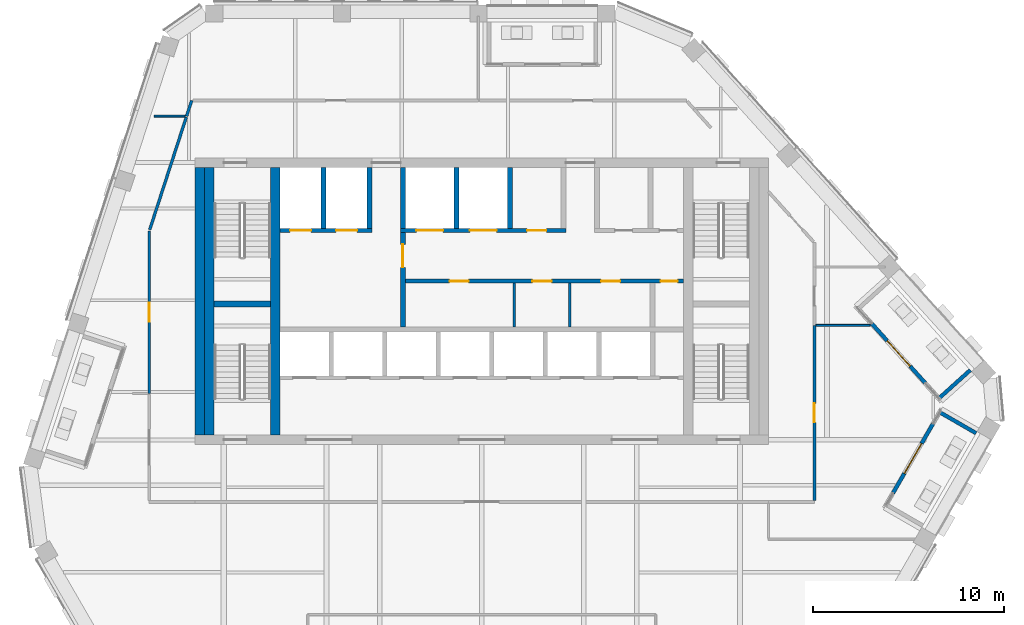
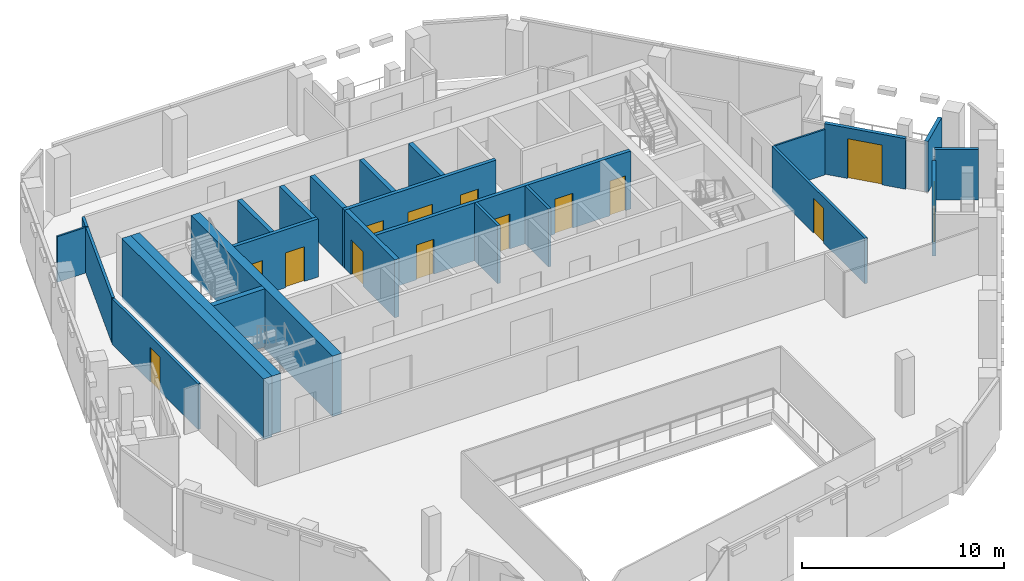
# One storey, part 14 of 22: 25 walls, 14 doors, 14 openings.
"""IFC4 building model written with IfcOpenShell, lengths in metres."""

from ifc_helpers import new_model, si_unit, direction, frame, frame_2d, origin, place, context, subcontext, project, spatial, rectangle, extrude, material, layer, layer_set, type_object, element, fill, save


model = new_model("IFC4")

# Units and contexts
model_context = context("Model", 3, precision=1e-05, world=origin(), true_north=direction((0.0, 1.0)))
body_context = subcontext(model_context, "Body", "Model", "MODEL_VIEW")
ifc_project = project(units=[si_unit("LENGTHUNIT", "METRE"), si_unit("AREAUNIT", "SQUARE_METRE"), si_unit("VOLUMEUNIT", "CUBIC_METRE"), si_unit("PLANEANGLEUNIT", "RADIAN"), si_unit("MASSUNIT", "GRAM", prefix="KILO")], contexts=[model_context])

# Site, building, storey
site_placement = place(None, origin())
site = spatial("IfcSite", under=ifc_project, at=site_placement, CompositionType="ELEMENT")
building_placement = place(site_placement, origin())
building = spatial("IfcBuilding", under=site, at=building_placement, Name="Isthmus Gate Tower", CompositionType="ELEMENT")
storey_placement = place(building_placement, frame((0.0, 0.0, 264.60009765625)))
storey = spatial("IfcBuildingStorey", under=building, at=storey_placement, Name="L67", CompositionType="ELEMENT", Elevation=264.60009765625)

# Wall, opening, door
ifc_material_1 = material(Name="Gypsum board on steel studs, fire-rated", Category="steel")
ifc_layer_1 = layer(ifc_material_1, 0.14990234375)
ifc_layer_set_1 = layer_set([ifc_layer_1], Name="CORRIDOR WALL 150 60 MIN")
wall_type_1 = type_object("IfcWallType", Name="CORRIDOR WALL 150 60 MIN", PredefinedType="PARTITIONING", material=ifc_layer_set_1)
wall_1_placement = place(storey_placement, frame((17.39990234375, 6.237060546875, 0.0), z_axis=(0.0, 0.0, 1.0), x_axis=(0.0, -1.0, 0.0)))
wall_1 = element("IfcWall", 1, at=wall_1_placement, inside=storey, type_object=wall_type_1, Name="L67 Corridor Wall 150 60 Min", PredefinedType="PARTITIONING", context=body_context, shape_type="SweptSolid", body=[
    extrude(rectangle(XDim=9.162109375, YDim=0.14990234375, at=frame_2d((4.5810546875, 0.0))), origin(), (0.0, 0.0, 1.0), 2.75048828125),
])
opening_1_placement = place(wall_1_placement, frame((4.0810546875, 0.0, 0.0)))
opening_1 = element("IfcOpeningElement", 2, at=opening_1_placement, cuts=wall_1, Name="Opening DT-T6A-06", PredefinedType="OPENING", context=body_context, shape_type="SweptSolid", body=[
    extrude(rectangle(XDim=1.0, YDim=2.10009765625, at=frame_2d((0.5, 1.050048828125))), frame((0.0, 0.0849609375, 0.0), z_axis=(0.0, -1.0, 0.0), x_axis=(1.0, 0.0, 0.0)), (0.0, 0.0, 1.0), 0.169921875),
])
ifc_material_2 = material(Name="Solid core timber door leaf, fire-rated", Category="wood")
door_type_1 = type_object("IfcDoorType", Name="FIRE DOOR ROOM 1000 X 2100 60 MIN", OperationType="SINGLE_SWING_LEFT", PredefinedType="DOOR", material=ifc_material_2)
door_1_placement = place(opening_1_placement, origin())
door_1 = element("IfcDoor", 3, at=door_1_placement, inside=storey, type_object=door_type_1, Name="L67 room door", OperationType="SINGLE_SWING_RIGHT", OverallHeight=2.10009765625, OverallWidth=1.0, PredefinedType="DOOR", context=body_context, shape_type="SweptSolid", body=[
    extrude(rectangle(XDim=1.0, YDim=2.10009765625, at=frame_2d((0.5, 1.050048828125))), frame((0.0, 0.02490234375, 0.0), z_axis=(0.0, -1.0, 0.0), x_axis=(1.0, 0.0, 0.0)), (0.0, 0.0, 1.0), 0.050048828125),
])
fill(opening_1, door_1)

# Wall
wall_2_placement = place(storey_placement, frame((-15.44189453125, 17.18701171875, 0.0), z_axis=(0.0, 0.0, 1.0), x_axis=(0.308763129345, 0.951138964588, 0.0)))
element("IfcWall", 4, at=wall_2_placement, inside=storey, type_object=wall_type_1, Name="L67 Corridor Wall 150 60 Min", PredefinedType="PARTITIONING", context=body_context, shape_type="SweptSolid", body=[
    extrude(rectangle(XDim=0.854736328125, YDim=0.14990234375, at=frame_2d((0.42724609375, 0.0))), origin(), (0.0, 0.0, 1.0), 2.75048828125),
])

# Wall, opening, door
wall_3_placement = place(storey_placement, frame((-17.39990234375, 2.669921875, 0.0), z_axis=(0.0, 0.0, 1.0), x_axis=(0.0, 1.0, 0.0)))
wall_3 = element("IfcWall", 5, at=wall_3_placement, inside=storey, type_object=wall_type_1, Name="L67 Corridor Wall 150 60 Min", PredefinedType="PARTITIONING", context=body_context, shape_type="SweptSolid", body=[
    extrude(rectangle(XDim=8.490966796875, YDim=0.14990234375, at=frame_2d((4.24560546875, 0.0))), origin(), (0.0, 0.0, 1.0), 2.75048828125),
])
opening_2_placement = place(wall_3_placement, frame((3.74560546875, 0.0, 0.0)))
opening_2 = element("IfcOpeningElement", 6, at=opening_2_placement, cuts=wall_3, Name="Opening DT-T6A-04", PredefinedType="OPENING", context=body_context, shape_type="SweptSolid", body=[
    extrude(rectangle(XDim=1.0, YDim=2.10009765625, at=frame_2d((0.5, 1.050048828125))), frame((0.0, 0.0849609375, 0.0), z_axis=(0.0, -1.0, 0.0), x_axis=(1.0, 0.0, 0.0)), (0.0, 0.0, 1.0), 0.169921875),
])
door_2_placement = place(opening_2_placement, origin())
door_2 = element("IfcDoor", 7, at=door_2_placement, inside=storey, type_object=door_type_1, Name="L67 room door", OperationType="SINGLE_SWING_RIGHT", OverallHeight=2.10009765625, OverallWidth=1.0, PredefinedType="DOOR", context=body_context, shape_type="SweptSolid", body=[
    extrude(rectangle(XDim=1.0, YDim=2.10009765625, at=frame_2d((0.5, 1.050048828125))), frame((0.0, 0.02490234375, 0.0), z_axis=(0.0, -1.0, 0.0), x_axis=(1.0, 0.0, 0.0)), (0.0, 0.0, 1.0), 0.050048828125),
])
fill(opening_2, door_2)

# Wall
wall_4_placement = place(storey_placement, frame((-17.376708984375, 11.232421875, 0.0), z_axis=(0.0, 0.0, 1.0), x_axis=(0.309001632963, 0.951061507383, 0.0)))
element("IfcWall", 8, at=wall_4_placement, inside=storey, type_object=wall_type_1, Name="L67 Corridor Wall 150 60 Min", PredefinedType="PARTITIONING", context=body_context, shape_type="SweptSolid", body=[
    extrude(rectangle(XDim=6.2109375, YDim=0.14990234375, at=frame_2d((3.10546875, 0.0))), origin(), (0.0, 0.0, 1.0), 2.75048828125),
])

# Wall, opening, door
ifc_material_3 = material(Name="Fire-rated blockwork masonry, 15 MPa", Category="masonry")
ifc_layer_2 = layer(ifc_material_3, 0.25)
ifc_layer_set_2 = layer_set([ifc_layer_2], Name="FIRE-FIGHTING LOBBY WALL 250 90 MIN")
wall_type_2 = type_object("IfcWallType", Name="FIRE-FIGHTING LOBBY WALL 250 90 MIN", PredefinedType="PARTITIONING", material=ifc_layer_set_2)
wall_5_placement = place(storey_placement, frame((-4.125, 6.14990234375, 0.0), z_axis=(0.0, 0.0, 1.0), x_axis=(0.0, 1.0, 0.0)))
wall_5 = element("IfcWall", 9, at=wall_5_placement, inside=storey, type_object=wall_type_2, Name="L67 FIRE-FIGHTING LOBBY WALL 250 90 MIN", PredefinedType="PARTITIONING", context=body_context, shape_type="SweptSolid", body=[
    extrude(rectangle(XDim=4.9501953125, YDim=0.25, at=frame_2d((2.47509765625, 0.0))), origin(), (0.0, 0.0, 1.0), 3.5),
])
opening_3_placement = place(wall_5_placement, frame((3.125, 0.0, 0.0)))
opening_3 = element("IfcOpeningElement", 10, at=opening_3_placement, cuts=wall_5, Name="Opening DC-A17-01", PredefinedType="OPENING", context=body_context, shape_type="SweptSolid", body=[
    extrude(rectangle(XDim=1.199951171875, YDim=2.10009765625, at=frame_2d((0.60009765625, 1.050048828125))), frame((0.0, 0.135009765625, 0.0), z_axis=(0.0, -1.0, 0.0), x_axis=(1.0, 0.0, 0.0)), (0.0, 0.0, 1.0), 0.27001953125),
])
ifc_material_4 = material(Name="Steel door leaf, fire-rated", Category="steel")
door_type_2 = type_object("IfcDoorType", Name="LOBBY FIRE DOOR 1200 X 2100 90 MIN", OperationType="DOUBLE_DOOR_SINGLE_SWING", PredefinedType="DOOR", material=ifc_material_4)
door_3_placement = place(opening_3_placement, origin())
door_3 = element("IfcDoor", 11, at=door_3_placement, inside=storey, type_object=door_type_2, Name="Fire-fighting Lobby Door", OperationType="SINGLE_SWING_LEFT", OverallHeight=2.10009765625, OverallWidth=1.199951171875, PredefinedType="DOOR", context=body_context, shape_type="SweptSolid", body=[
    extrude(rectangle(XDim=1.199951171875, YDim=2.10009765625, at=frame_2d((0.60009765625, 1.050048828125))), frame((0.0, 0.02490234375, 0.0), z_axis=(0.0, -1.0, 0.0), x_axis=(1.0, 0.0, 0.0)), (0.0, 0.0, 1.0), 0.050048828125),
])
fill(opening_3, door_3)

ifc_material_5 = material(Name="Precast concrete C40/50", Category="concrete")
ifc_layer_3 = layer(ifc_material_5, 0.199951171875)
ifc_layer_set_3 = layer_set([ifc_layer_3], Name="LOGGIA WALL 200")
wall_type_3 = type_object("IfcWallType", Name="LOGGIA WALL 200", PredefinedType="SOLIDWALL", material=ifc_layer_set_3)
wall_6_placement = place(storey_placement, frame((21.509765625, -2.5439453125, 0.0), z_axis=(0.0, 0.0, 1.0), x_axis=(0.500002543286, 0.866023935413, 0.0)))
wall_6 = element("IfcWall", 12, at=wall_6_placement, inside=storey, type_object=wall_type_3, Name="LOGGIA BACK WALL", PredefinedType="SOLIDWALL", context=body_context, shape_type="SweptSolid", body=[
    extrude(rectangle(XDim=4.2001953125, YDim=0.199951171875, at=frame_2d((2.10009765625, 0.0))), origin(), (0.0, 0.0, 1.0), 2.820556640625),
])
opening_4_placement = place(wall_6_placement, frame((1.199951171875, 0.0, 0.0)))
opening_4 = element("IfcOpeningElement", 13, at=opening_4_placement, cuts=wall_6, Name="Opening DE67-04", PredefinedType="OPENING", context=body_context, shape_type="SweptSolid", body=[
    extrude(rectangle(XDim=1.800048828125, YDim=2.39990234375, at=frame_2d((0.89990234375, 1.199951171875))), frame((0.0, 0.10986328125, 0.0), z_axis=(0.0, -1.0, 0.0), x_axis=(1.0, 0.0, 0.0)), (0.0, 0.0, 1.0), 0.219970703125),
])
ifc_material_6 = material(Name="Aluminium, pale champagne anodised, laminated glass", Category="aluminium")
door_type_3 = type_object("IfcDoorType", Name="LOGGIA DOOR SLIDING 1800 X 2400", OperationType="DOUBLE_DOOR_SLIDING", PredefinedType="DOOR", material=ifc_material_6)
door_4_placement = place(opening_4_placement, origin())
door_4 = element("IfcDoor", 14, at=door_4_placement, inside=storey, type_object=door_type_3, Name="DOOR DE67-04", OperationType="SINGLE_SWING_LEFT", OverallHeight=2.39990234375, OverallWidth=1.800048828125, PredefinedType="DOOR", context=body_context, shape_type="SweptSolid", body=[
    extrude(rectangle(XDim=1.800048828125, YDim=2.39990234375, at=frame_2d((0.89990234375, 1.199951171875))), frame((0.0, 0.02490234375, 0.0), z_axis=(0.0, -1.0, 0.0), x_axis=(1.0, 0.0, 0.0)), (0.0, 0.0, 1.0), 0.050048828125),
])
fill(opening_4, door_4)

# Wall
wall_7_placement = place(storey_placement, frame((25.861328125, 0.593017578125, 0.0), z_axis=(0.0, 0.0, 1.0), x_axis=(-0.866040401994, 0.49997402144, 0.0)))
element("IfcWall", 15, at=wall_7_placement, inside=storey, type_object=wall_type_3, Name="LOGGIA SIDE WALL", PredefinedType="SOLIDWALL", context=body_context, shape_type="SweptSolid", body=[
    extrude(rectangle(XDim=2.18408203125, YDim=0.199951171875, at=frame_2d((1.092041015625, 0.0))), origin(), (0.0, 0.0, 1.0), 3.0498046875),
])

# Wall, opening, door
wall_8_placement = place(storey_placement, frame((23.216552734375, 3.204345703125, 0.0), z_axis=(0.0, 0.0, 1.0), x_axis=(-0.669138140895, 0.743138041282, 0.0)))
wall_8 = element("IfcWall", 16, at=wall_8_placement, inside=storey, type_object=wall_type_3, Name="LOGGIA BACK WALL", PredefinedType="SOLIDWALL", context=body_context, shape_type="SweptSolid", body=[
    extrude(rectangle(XDim=4.199951171875, YDim=0.199951171875, at=frame_2d((2.10009765625, 0.0))), origin(), (0.0, 0.0, 1.0), 3.0498046875),
])
opening_5_placement = place(wall_8_placement, frame((1.199951171875, 0.0, 0.0)))
opening_5 = element("IfcOpeningElement", 17, at=opening_5_placement, cuts=wall_8, Name="Opening DE67-05", PredefinedType="OPENING", context=body_context, shape_type="SweptSolid", body=[
    extrude(rectangle(XDim=1.800048828125, YDim=2.39990234375, at=frame_2d((0.89990234375, 1.199951171875))), frame((0.0, 0.10986328125, 0.0), z_axis=(0.0, -1.0, 0.0), x_axis=(1.0, 0.0, 0.0)), (0.0, 0.0, 1.0), 0.219970703125),
])
door_5_placement = place(opening_5_placement, origin())
door_5 = element("IfcDoor", 18, at=door_5_placement, inside=storey, type_object=door_type_3, Name="DOOR DE67-05", OperationType="SINGLE_SWING_LEFT", OverallHeight=2.39990234375, OverallWidth=1.800048828125, PredefinedType="DOOR", context=body_context, shape_type="SweptSolid", body=[
    extrude(rectangle(XDim=1.800048828125, YDim=2.39990234375, at=frame_2d((0.89990234375, 1.199951171875))), frame((0.0, 0.02490234375, 0.0), z_axis=(0.0, -1.0, 0.0), x_axis=(1.0, 0.0, 0.0)), (0.0, 0.0, 1.0), 0.050048828125),
])
fill(opening_5, door_5)

# Walls
wall_9_placement = place(storey_placement, frame((25.556396484375, 3.8935546875, 0.0), z_axis=(0.0, 0.0, 1.0), x_axis=(-0.743138493482, -0.669137638686, 0.0)))
element("IfcWall", 19, at=wall_9_placement, inside=storey, type_object=wall_type_3, Name="LOGGIA SIDE WALL", PredefinedType="SOLIDWALL", context=body_context, shape_type="SweptSolid", body=[
    extrude(rectangle(XDim=2.18408203125, YDim=0.199951171875, at=frame_2d((1.092041015625, 0.0))), origin(), (0.0, 0.0, 1.0), 3.0498046875),
])
ifc_material_7 = material(Name="Concrete f'c 50 MPa", Category="concrete")
ifc_layer_4 = layer(ifc_material_7, 0.5)
ifc_layer_set_4 = layer_set([ifc_layer_4], Name="RC CORE SPINE WALL 500 F'C 50")
wall_type_4 = type_object("IfcWallType", Name="RC CORE SPINE WALL 500 F'C 50", PredefinedType="SOLIDWALL", material=ifc_layer_set_4)
wall_10_placement = place(storey_placement, frame((-10.800048828125, 0.5, -0.150146484375), z_axis=(0.0, 0.0, 1.0), x_axis=(0.0, 1.0, 0.0)))
element("IfcWall", 20, at=wall_10_placement, inside=storey, type_object=wall_type_4, Name="str-corewall-L67-SPW", PredefinedType="SOLIDWALL", context=body_context, shape_type="SweptSolid", body=[
    extrude(rectangle(XDim=14.0, YDim=0.5, at=frame_2d((7.0, 0.0))), origin(), (0.0, 0.0, 1.0), 3.650146484375),
])
ifc_material_8 = material(Name="Concrete f'c 50 MPa", Category="concrete")
ifc_layer_5 = layer(ifc_material_8, 0.5)
ifc_layer_set_5 = layer_set([ifc_layer_5], Name="RC CORE WALL 500 F'C 50")
wall_type_5 = type_object("IfcWallType", Name="RC CORE WALL 500 F'C 50", PredefinedType="SOLIDWALL", material=ifc_layer_set_5)
wall_11_placement = place(storey_placement, frame((-14.75, 0.5, -0.150146484375), z_axis=(0.0, 0.0, 1.0), x_axis=(0.0, 1.0, 0.0)))
element("IfcWall", 21, at=wall_11_placement, inside=storey, type_object=wall_type_5, Name="str-corewall-L67-W", PredefinedType="SOLIDWALL", context=body_context, shape_type="SweptSolid", body=[
    extrude(rectangle(XDim=14.0, YDim=0.5, at=frame_2d((7.0, 0.0))), origin(), (0.0, 0.0, 1.0), 3.650146484375),
])
ifc_material_9 = material(Name="Gypsum board on steel studs, fire-rated", Category="steel")
ifc_layer_6 = layer(ifc_material_9, 0.10009765625)
ifc_layer_set_6 = layer_set([ifc_layer_6], Name="ROOM PARTITION 100 30 MIN")
wall_type_6 = type_object("IfcWallType", Name="ROOM PARTITION 100 30 MIN", PredefinedType="PARTITIONING", material=ifc_layer_set_6)
wall_12_placement = place(storey_placement, frame((-17.139892578125, 17.18701171875, 0.0), z_axis=(0.0, 0.0, 1.0), x_axis=(1.0, 0.0, 0.0)))
element("IfcWall", 22, at=wall_12_placement, inside=storey, type_object=wall_type_6, Name="L67 Room Partition 100 30 Min", PredefinedType="PARTITIONING", context=body_context, shape_type="SweptSolid", body=[
    extrude(rectangle(XDim=1.622802734375, YDim=0.10009765625, at=frame_2d((0.8115234375, 0.0))), origin(), (0.0, 0.0, 1.0), 2.75048828125),
])
wall_13_placement = place(storey_placement, frame((17.47509765625, 6.237060546875, 0.0), z_axis=(0.0, 0.0, 1.0), x_axis=(1.0, 0.0, 0.0)))
element("IfcWall", 23, at=wall_13_placement, inside=storey, type_object=wall_type_6, Name="L67 Room Partition 100 30 Min", PredefinedType="PARTITIONING", context=body_context, shape_type="SweptSolid", body=[
    extrude(rectangle(XDim=2.84619140625, YDim=0.10009765625, at=frame_2d((1.423095703125, 0.0))), origin(), (0.0, 0.0, 1.0), 2.75048828125),
])
ifc_material_10 = material(Name="Gypsum board on steel studs, fire-rated", Category="steel")
ifc_layer_7 = layer(ifc_material_10, 0.14990234375)
ifc_layer_set_7 = layer_set([ifc_layer_7], Name="ROOM PARTITION 150 60 MIN")
wall_type_7 = type_object("IfcWallType", Name="ROOM PARTITION 150 60 MIN", PredefinedType="PARTITIONING", material=ifc_layer_set_7)
for number, where, z_axis, x_axis, name in (
    (24, (1.699951171875, 6.14990234375, 0.0), (0.0, 0.0, 1.0), (0.0, 1.0, 0.0), "L67 ROOM PARTITION 150 60 MIN"),
    (25, (4.60009765625, 6.14990234375, 0.0), (0.0, 0.0, 1.0), (0.0, 1.0, 0.0), "L67 ROOM PARTITION 150 60 MIN"),
):
    element("IfcWall", number, at=place(storey_placement, frame(where, z_axis=z_axis, x_axis=x_axis)), inside=storey, type_object=wall_type_7, Name=name, PredefinedType="PARTITIONING", context=body_context, shape_type="SweptSolid", body=[
        extrude(rectangle(XDim=2.300048828125, YDim=0.14990234375, at=frame_2d((1.14990234375, 0.0))), origin(), (0.0, 0.0, 1.0), 3.5),
    ])

# Wall, openings, doors
ifc_material_11 = material(Name="Fire-rated blockwork masonry, 15 MPa", Category="masonry")
ifc_layer_8 = layer(ifc_material_11, 0.199951171875)
ifc_layer_set_8 = layer_set([ifc_layer_8], Name="SHAFT FRONT WALL 200 120 MIN")
wall_type_8 = type_object("IfcWallType", Name="SHAFT FRONT WALL 200 120 MIN", PredefinedType="PARTITIONING", material=ifc_layer_set_8)
wall_14_placement = place(storey_placement, frame((-4.125, 8.550048828125, 0.0), z_axis=(0.0, 0.0, 1.0), x_axis=(1.0, 0.0, 0.0)))
wall_14 = element("IfcWall", 26, at=wall_14_placement, inside=storey, type_object=wall_type_8, Name="L67 SHAFT FRONT WALL 200 120 MIN", PredefinedType="PARTITIONING", context=body_context, shape_type="SweptSolid", body=[
    extrude(rectangle(XDim=14.675048828125, YDim=0.199951171875, at=frame_2d((7.33740234375, 0.0))), origin(), (0.0, 0.0, 1.0), 3.5),
])
opening_6_placement = place(wall_14_placement, frame((2.4375, 0.0, 0.0)))
opening_6 = element("IfcOpeningElement", 27, at=opening_6_placement, cuts=wall_14, Name="Opening DC-A17-03", PredefinedType="OPENING", context=body_context, shape_type="SweptSolid", body=[
    extrude(rectangle(XDim=1.0, YDim=2.10009765625, at=frame_2d((0.5, 1.050048828125))), frame((0.0, 0.10986328125, 0.0), z_axis=(0.0, -1.0, 0.0), x_axis=(1.0, 0.0, 0.0)), (0.0, 0.0, 1.0), 0.219970703125),
])
opening_7_placement = place(wall_14_placement, frame((6.77490234375, 0.0, 0.0)))
opening_7 = element("IfcOpeningElement", 28, at=opening_7_placement, cuts=wall_14, Name="Opening DC-A17-04", PredefinedType="OPENING", context=body_context, shape_type="SweptSolid", body=[
    extrude(rectangle(XDim=1.0, YDim=2.10009765625, at=frame_2d((0.5, 1.050048828125))), frame((0.0, 0.10986328125, 0.0), z_axis=(0.0, -1.0, 0.0), x_axis=(1.0, 0.0, 0.0)), (0.0, 0.0, 1.0), 0.219970703125),
])
opening_8_placement = place(wall_14_placement, frame((10.362548828125, 0.0, 0.0)))
opening_8 = element("IfcOpeningElement", 29, at=opening_8_placement, cuts=wall_14, Name="Opening DC-A17-05", PredefinedType="OPENING", context=body_context, shape_type="SweptSolid", body=[
    extrude(rectangle(XDim=1.0, YDim=2.10009765625, at=frame_2d((0.5, 1.050048828125))), frame((0.0, 0.10986328125, 0.0), z_axis=(0.0, -1.0, 0.0), x_axis=(1.0, 0.0, 0.0)), (0.0, 0.0, 1.0), 0.219970703125),
])
opening_9_placement = place(wall_14_placement, frame((13.47509765625, 0.0, 0.0)))
opening_9 = element("IfcOpeningElement", 30, at=opening_9_placement, cuts=wall_14, Name="Opening DC-A17-06", PredefinedType="OPENING", context=body_context, shape_type="SweptSolid", body=[
    extrude(rectangle(XDim=0.89990234375, YDim=2.10009765625, at=frame_2d((0.449951171875, 1.050048828125))), frame((0.0, 0.10986328125, 0.0), z_axis=(0.0, -1.0, 0.0), x_axis=(1.0, 0.0, 0.0)), (0.0, 0.0, 1.0), 0.219970703125),
])
ifc_material_12 = material(Name="Steel door leaf, fire-rated", Category="steel")
door_type_4 = type_object("IfcDoorType", Name="FIRE DOOR 1000 X 2100 60 MIN", OperationType="SINGLE_SWING_LEFT", PredefinedType="DOOR", material=ifc_material_12)
door_6_placement = place(opening_6_placement, origin())
door_6 = element("IfcDoor", 31, at=door_6_placement, inside=storey, type_object=door_type_4, Name="WC Men Door", OperationType="SINGLE_SWING_LEFT", OverallHeight=2.10009765625, OverallWidth=1.0, PredefinedType="DOOR", context=body_context, shape_type="SweptSolid", body=[
    extrude(rectangle(XDim=1.0, YDim=2.10009765625, at=frame_2d((0.5, 1.050048828125))), frame((0.0, 0.02490234375, 0.0), z_axis=(0.0, -1.0, 0.0), x_axis=(1.0, 0.0, 0.0)), (0.0, 0.0, 1.0), 0.050048828125),
])
fill(opening_6, door_6)
door_7_placement = place(opening_7_placement, origin())
door_7 = element("IfcDoor", 32, at=door_7_placement, inside=storey, type_object=door_type_4, Name="Accessible WC Door", OperationType="SINGLE_SWING_RIGHT", OverallHeight=2.10009765625, OverallWidth=1.0, PredefinedType="DOOR", context=body_context, shape_type="SweptSolid", body=[
    extrude(rectangle(XDim=1.0, YDim=2.10009765625, at=frame_2d((0.5, 1.050048828125))), frame((0.0, 0.02490234375, 0.0), z_axis=(0.0, -1.0, 0.0), x_axis=(1.0, 0.0, 0.0)), (0.0, 0.0, 1.0), 0.050048828125),
])
fill(opening_7, door_7)
door_8_placement = place(opening_8_placement, origin())
door_8 = element("IfcDoor", 33, at=door_8_placement, inside=storey, type_object=door_type_4, Name="WC Women Door", OperationType="SINGLE_SWING_LEFT", OverallHeight=2.10009765625, OverallWidth=1.0, PredefinedType="DOOR", context=body_context, shape_type="SweptSolid", body=[
    extrude(rectangle(XDim=1.0, YDim=2.10009765625, at=frame_2d((0.5, 1.050048828125))), frame((0.0, 0.02490234375, 0.0), z_axis=(0.0, -1.0, 0.0), x_axis=(1.0, 0.0, 0.0)), (0.0, 0.0, 1.0), 0.050048828125),
])
fill(opening_8, door_8)
ifc_material_13 = material(Name="Steel door leaf, fire-rated", Category="steel")
door_type_5 = type_object("IfcDoorType", Name="RISER FIRE DOOR 900 X 2100 90 MIN", OperationType="SINGLE_SWING_LEFT", PredefinedType="DOOR", material=ifc_material_13)
door_9_placement = place(opening_9_placement, origin())
door_9 = element("IfcDoor", 34, at=door_9_placement, inside=storey, type_object=door_type_5, Name="Riser Door", OperationType="SINGLE_SWING_RIGHT", OverallHeight=2.10009765625, OverallWidth=0.89990234375, PredefinedType="DOOR", context=body_context, shape_type="SweptSolid", body=[
    extrude(rectangle(XDim=0.89990234375, YDim=2.10009765625, at=frame_2d((0.449951171875, 1.050048828125))), frame((0.0, 0.02490234375, 0.0), z_axis=(0.0, -1.0, 0.0), x_axis=(1.0, 0.0, 0.0)), (0.0, 0.0, 1.0), 0.050048828125),
])
fill(opening_9, door_9)

wall_15_placement = place(storey_placement, frame((-10.550048828125, 11.199951171875, 0.0), z_axis=(0.0, 0.0, 1.0), x_axis=(1.0, 0.0, 0.0)))
wall_15 = element("IfcWall", 35, at=wall_15_placement, inside=storey, type_object=wall_type_8, Name="L67 SHAFT FRONT WALL 200 120 MIN", PredefinedType="PARTITIONING", context=body_context, shape_type="SweptSolid", body=[
    extrude(rectangle(XDim=4.800048828125, YDim=0.199951171875, at=frame_2d((2.39990234375, 0.0))), origin(), (0.0, 0.0, 1.0), 3.5),
])
opening_10_placement = place(wall_15_placement, frame((0.52490234375, 0.0, 0.0)))
opening_10 = element("IfcOpeningElement", 36, at=opening_10_placement, cuts=wall_15, Name="Opening LD-LF1", PredefinedType="OPENING", context=body_context, shape_type="SweptSolid", body=[
    extrude(rectangle(XDim=1.10009765625, YDim=2.10009765625, at=frame_2d((0.550048828125, 1.050048828125))), frame((0.0, 0.10986328125, 0.0), z_axis=(0.0, -1.0, 0.0), x_axis=(1.0, 0.0, 0.0)), (0.0, 0.0, 1.0), 0.219970703125),
])
opening_11_placement = place(wall_15_placement, frame((2.925048828125, 0.0, 0.0)))
opening_11 = element("IfcOpeningElement", 37, at=opening_11_placement, cuts=wall_15, Name="Opening LD-LF2", PredefinedType="OPENING", context=body_context, shape_type="SweptSolid", body=[
    extrude(rectangle(XDim=1.10009765625, YDim=2.10009765625, at=frame_2d((0.550048828125, 1.050048828125))), frame((0.0, 0.10986328125, 0.0), z_axis=(0.0, -1.0, 0.0), x_axis=(1.0, 0.0, 0.0)), (0.0, 0.0, 1.0), 0.219970703125),
])
ifc_material_14 = material(Name="Stainless steel sliding leaf", Category="steel")
door_type_6 = type_object("IfcDoorType", Name="LIFT LANDING FIRE DOOR 1100 X 2100 90 MIN", OperationType="DOUBLE_DOOR_SLIDING", PredefinedType="DOOR", material=ifc_material_14)
door_10_placement = place(opening_10_placement, origin())
door_10 = element("IfcDoor", 38, at=door_10_placement, inside=storey, type_object=door_type_6, Name="Lift Landing Door LF1", OperationType="DOUBLE_DOOR_SLIDING", OverallHeight=2.10009765625, OverallWidth=1.10009765625, PredefinedType="DOOR", context=body_context, shape_type="SweptSolid", body=[
    extrude(rectangle(XDim=1.10009765625, YDim=2.10009765625, at=frame_2d((0.550048828125, 1.050048828125))), frame((0.0, 0.02490234375, 0.0), z_axis=(0.0, -1.0, 0.0), x_axis=(1.0, 0.0, 0.0)), (0.0, 0.0, 1.0), 0.050048828125),
])
fill(opening_10, door_10)
door_11_placement = place(opening_11_placement, origin())
door_11 = element("IfcDoor", 39, at=door_11_placement, inside=storey, type_object=door_type_6, Name="Lift Landing Door LF2", OperationType="DOUBLE_DOOR_SLIDING", OverallHeight=2.10009765625, OverallWidth=1.10009765625, PredefinedType="DOOR", context=body_context, shape_type="SweptSolid", body=[
    extrude(rectangle(XDim=1.10009765625, YDim=2.10009765625, at=frame_2d((0.550048828125, 1.050048828125))), frame((0.0, 0.02490234375, 0.0), z_axis=(0.0, -1.0, 0.0), x_axis=(1.0, 0.0, 0.0)), (0.0, 0.0, 1.0), 0.050048828125),
])
fill(opening_11, door_11)

wall_16_placement = place(storey_placement, frame((-4.25, 11.199951171875, 0.0), z_axis=(0.0, 0.0, 1.0), x_axis=(1.0, 0.0, 0.0)))
wall_16 = element("IfcWall", 40, at=wall_16_placement, inside=storey, type_object=wall_type_8, Name="L67 SHAFT FRONT WALL 200 120 MIN", PredefinedType="PARTITIONING", context=body_context, shape_type="SweptSolid", body=[
    extrude(rectangle(XDim=8.64990234375, YDim=0.199951171875, at=frame_2d((4.324951171875, 0.0))), origin(), (0.0, 0.0, 1.0), 3.5),
])
opening_12_placement = place(wall_16_placement, frame((0.824951171875, 0.0, 0.0)))
opening_12 = element("IfcOpeningElement", 41, at=opening_12_placement, cuts=wall_16, Name="Opening LD-LV1", PredefinedType="OPENING", context=body_context, shape_type="SweptSolid", body=[
    extrude(rectangle(XDim=1.39990234375, YDim=2.10009765625, at=frame_2d((0.699951171875, 1.050048828125))), frame((0.0, 0.10986328125, 0.0), z_axis=(0.0, -1.0, 0.0), x_axis=(1.0, 0.0, 0.0)), (0.0, 0.0, 1.0), 0.219970703125),
])
opening_13_placement = place(wall_16_placement, frame((3.625, 0.0, 0.0)))
opening_13 = element("IfcOpeningElement", 42, at=opening_13_placement, cuts=wall_16, Name="Opening LD-LV2", PredefinedType="OPENING", context=body_context, shape_type="SweptSolid", body=[
    extrude(rectangle(XDim=1.39990234375, YDim=2.10009765625, at=frame_2d((0.699951171875, 1.050048828125))), frame((0.0, 0.10986328125, 0.0), z_axis=(0.0, -1.0, 0.0), x_axis=(1.0, 0.0, 0.0)), (0.0, 0.0, 1.0), 0.219970703125),
])
opening_14_placement = place(wall_16_placement, frame((6.625, 0.0, 0.0)))
opening_14 = element("IfcOpeningElement", 43, at=opening_14_placement, cuts=wall_16, Name="Opening DC-A17-07", PredefinedType="OPENING", context=body_context, shape_type="SweptSolid", body=[
    extrude(rectangle(XDim=1.0, YDim=2.10009765625, at=frame_2d((0.5, 1.050048828125))), frame((0.0, 0.10986328125, 0.0), z_axis=(0.0, -1.0, 0.0), x_axis=(1.0, 0.0, 0.0)), (0.0, 0.0, 1.0), 0.219970703125),
])
door_12_placement = place(opening_14_placement, origin())
door_12 = element("IfcDoor", 44, at=door_12_placement, inside=storey, type_object=door_type_4, Name="Pantry Door", OperationType="SINGLE_SWING_LEFT", OverallHeight=2.10009765625, OverallWidth=1.0, PredefinedType="DOOR", context=body_context, shape_type="SweptSolid", body=[
    extrude(rectangle(XDim=1.0, YDim=2.10009765625, at=frame_2d((0.5, 1.050048828125))), frame((0.0, 0.02490234375, 0.0), z_axis=(0.0, -1.0, 0.0), x_axis=(1.0, 0.0, 0.0)), (0.0, 0.0, 1.0), 0.050048828125),
])
fill(opening_14, door_12)
ifc_material_15 = material(Name="Stainless steel sliding leaf", Category="steel")
door_type_7 = type_object("IfcDoorType", Name="LIFT LANDING FIRE DOOR 1400 X 2100 90 MIN", OperationType="DOUBLE_DOOR_SLIDING", PredefinedType="DOOR", material=ifc_material_15)
door_13_placement = place(opening_12_placement, origin())
door_13 = element("IfcDoor", 45, at=door_13_placement, inside=storey, type_object=door_type_7, Name="Lift Landing Door LV1", OperationType="DOUBLE_DOOR_SLIDING", OverallHeight=2.10009765625, OverallWidth=1.39990234375, PredefinedType="DOOR", context=body_context, shape_type="SweptSolid", body=[
    extrude(rectangle(XDim=1.39990234375, YDim=2.10009765625, at=frame_2d((0.699951171875, 1.050048828125))), frame((0.0, 0.02490234375, 0.0), z_axis=(0.0, -1.0, 0.0), x_axis=(1.0, 0.0, 0.0)), (0.0, 0.0, 1.0), 0.050048828125),
])
fill(opening_12, door_13)
door_14_placement = place(opening_13_placement, origin())
door_14 = element("IfcDoor", 46, at=door_14_placement, inside=storey, type_object=door_type_7, Name="Lift Landing Door LV2", OperationType="DOUBLE_DOOR_SLIDING", OverallHeight=2.10009765625, OverallWidth=1.39990234375, PredefinedType="DOOR", context=body_context, shape_type="SweptSolid", body=[
    extrude(rectangle(XDim=1.39990234375, YDim=2.10009765625, at=frame_2d((0.699951171875, 1.050048828125))), frame((0.0, 0.02490234375, 0.0), z_axis=(0.0, -1.0, 0.0), x_axis=(1.0, 0.0, 0.0)), (0.0, 0.0, 1.0), 0.050048828125),
])
fill(opening_13, door_14)

# Walls
ifc_material_16 = material(Name="Fire-rated blockwork masonry, 15 MPa", Category="masonry")
ifc_layer_9 = layer(ifc_material_16, 0.25)
ifc_layer_set_9 = layer_set([ifc_layer_9], Name="SHAFT WALL 250 120 MIN")
wall_type_9 = type_object("IfcWallType", Name="SHAFT WALL 250 120 MIN", PredefinedType="PARTITIONING", material=ifc_layer_set_9)
for number, where, z_axis, x_axis, name in (
    (47, (-8.27490234375, 11.300048828125, 0.0), (0.0, 0.0, 1.0), (0.0, 1.0, 0.0), "L67 SHAFT WALL 250 120 MIN"),
    (48, (-5.875, 11.300048828125, 0.0), (0.0, 0.0, 1.0), (0.0, 1.0, 0.0), "L67 SHAFT WALL 250 120 MIN"),
    (49, (-4.125, 11.300048828125, 0.0), (0.0, 0.0, 1.0), (0.0, 1.0, 0.0), "L67 SHAFT WALL 250 120 MIN"),
    (50, (-1.324951171875, 11.300048828125, 0.0), (0.0, 0.0, 1.0), (0.0, 1.0, 0.0), "L67 SHAFT WALL 250 120 MIN"),
    (51, (1.47509765625, 11.300048828125, 0.0), (0.0, 0.0, 1.0), (0.0, 1.0, 0.0), "L67 SHAFT WALL 250 120 MIN"),
):
    element("IfcWall", number, at=place(storey_placement, frame(where, z_axis=z_axis, x_axis=x_axis)), inside=storey, type_object=wall_type_9, Name=name, PredefinedType="PARTITIONING", context=body_context, shape_type="SweptSolid", body=[
        extrude(rectangle(XDim=3.199951171875, YDim=0.25, at=frame_2d((1.60009765625, 0.0))), origin(), (0.0, 0.0, 1.0), 3.5),
    ])
ifc_material_17 = material(Name="Concrete f'c 40 MPa", Category="concrete")
ifc_layer_10 = layer(ifc_material_17, 0.300048828125)
ifc_layer_set_10 = layer_set([ifc_layer_10], Name="STAIR ENCLOSURE WALL 300 180 MIN")
wall_type_10 = type_object("IfcWallType", Name="STAIR ENCLOSURE WALL 300 180 MIN", PredefinedType="SOLIDWALL", material=ifc_layer_set_10)
wall_17_placement = place(storey_placement, frame((-14.0, 7.35009765625, 0.0), z_axis=(0.0, 0.0, 1.0), x_axis=(1.0, 0.0, 0.0)))
element("IfcWall", 52, at=wall_17_placement, inside=storey, type_object=wall_type_10, Name="L67 STAIR ENCLOSURE WALL 300 180 MIN", PredefinedType="SOLIDWALL", context=body_context, shape_type="SweptSolid", body=[
    extrude(rectangle(XDim=2.949951171875, YDim=0.300048828125, at=frame_2d((1.47509765625, 0.0))), origin(), (0.0, 0.0, 1.0), 3.5),
])
ifc_material_18 = material(Name="Concrete f'c 40 MPa", Category="concrete")
ifc_layer_11 = layer(ifc_material_18, 0.5)
ifc_layer_set_11 = layer_set([ifc_layer_11], Name="STAIR ENCLOSURE WALL 500 180 MIN")
wall_type_11 = type_object("IfcWallType", Name="STAIR ENCLOSURE WALL 500 180 MIN", PredefinedType="SOLIDWALL", material=ifc_layer_set_11)
wall_18_placement = place(storey_placement, frame((-14.25, 0.5, 0.0), z_axis=(0.0, 0.0, 1.0), x_axis=(0.0, 1.0, 0.0)))
element("IfcWall", 53, at=wall_18_placement, inside=storey, type_object=wall_type_11, Name="L67 STAIR ENCLOSURE WALL 500 180 MIN", PredefinedType="SOLIDWALL", context=body_context, shape_type="SweptSolid", body=[
    extrude(rectangle(XDim=14.0, YDim=0.5, at=frame_2d((7.0, 0.0))), origin(), (0.0, 0.0, 1.0), 3.5),
])

save(model, "model.ifc")
